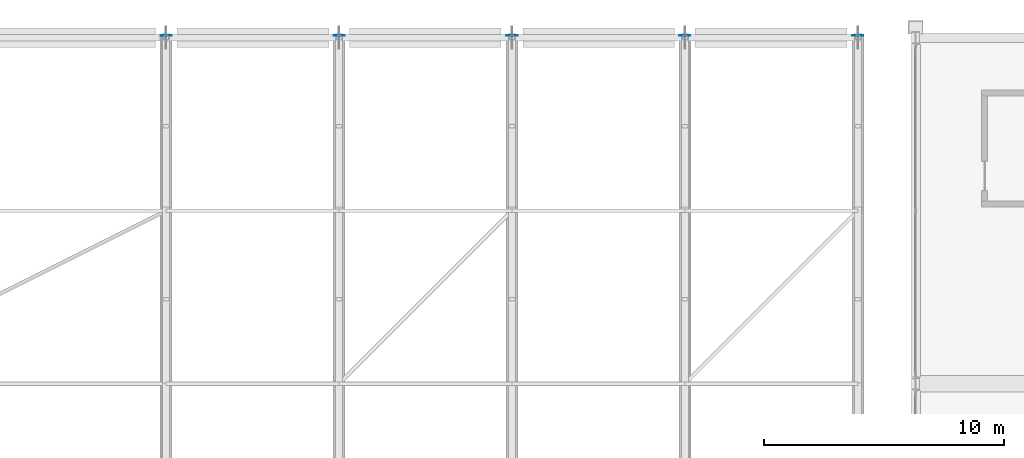
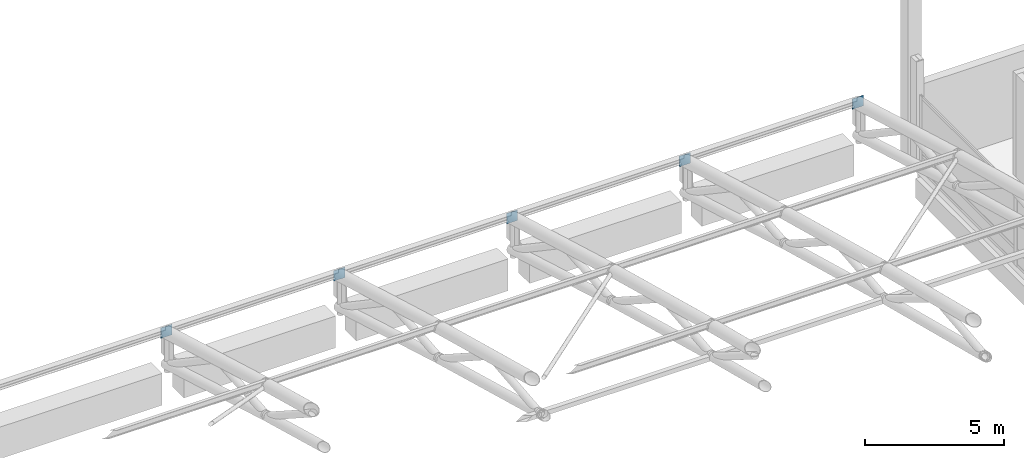
# One storey, part 134 of 193: 5 plates.
"""IFC4 building model written with IfcOpenShell, lengths in metres."""

from ifc_helpers import new_model, si_unit, direction, frame, origin, origin_2d, place, context, subcontext, project, spatial, rectangle, extrude, material, layer, layer_set, type_object, element, save


model = new_model("IFC4")

# Units and contexts
model_context = context("Model", 3, precision=1e-05, world=origin(), true_north=direction((0.0, 1.0)))
body_context = subcontext(model_context, "Body", "Model", "MODEL_VIEW")
ifc_project = project(units=[si_unit("LENGTHUNIT", "METRE"), si_unit("AREAUNIT", "SQUARE_METRE"), si_unit("VOLUMEUNIT", "CUBIC_METRE"), si_unit("PLANEANGLEUNIT", "RADIAN"), si_unit("MASSUNIT", "GRAM", prefix="KILO")], contexts=[model_context])

# Site, building, storey
site_placement = place(None, origin())
site = spatial("IfcSite", under=ifc_project, at=site_placement, CompositionType="ELEMENT")
building_placement = place(site_placement, origin())
building = spatial("IfcBuilding", under=site, at=building_placement, Name="Cendralis Lancet Convention Centre", CompositionType="ELEMENT")
storey_placement = place(building_placement, frame((0.0, 0.0, 10.199951171875)))
storey = spatial("IfcBuildingStorey", under=building, at=storey_placement, Name="L02", CompositionType="ELEMENT", Elevation=10.199951171875)

# Plates
ifc_material = material(Name="Steel S355", Category="steel")
ifc_layer = layer(ifc_material, 0.02001953125, Name="Steel S355")
ifc_layer_set = layer_set([ifc_layer], Name="Steel S355")
plate_type = type_object("IfcPlateType", Name="STR-PL-EC20", PredefinedType="USERDEFINED", material=ifc_layer_set)
for number, where, z_axis, x_axis, name in (
    (1, (93.60009765625, 136.889892578125, 3.3701171875), (0.0, 0.0, 1.0), (1.0, 0.0, 0.0), "Truss End Cap Plate EC-20 AT-V1-11-CAPN"),
    (2, (100.800048828125, 136.889892578125, 3.3701171875), (0.0, 0.0, 1.0), (1.0, 0.0, 0.0), "Truss End Cap Plate EC-20 AT-V1-12-CAPN"),
    (3, (108.0, 136.889892578125, 3.3701171875), (0.0, 0.0, 1.0), (1.0, 0.0, 0.0), "Truss End Cap Plate EC-20 AT-V1-13-CAPN"),
    (4, (115.199951171875, 136.889892578125, 3.3701171875), (0.0, 0.0, 1.0), (1.0, 0.0, 0.0), "Truss End Cap Plate EC-20 AT-V1-14-CAPN"),
    (5, (122.39990234375, 136.889892578125, 3.3701171875), (0.0, 0.0, 1.0), (1.0, 0.0, 0.0), "Truss End Cap Plate EC-20 AT-V1-15-CAPN"),
):
    element("IfcPlate", number, at=place(storey_placement, frame(where, z_axis=z_axis, x_axis=x_axis)), inside=storey, type_object=plate_type, Name=name, ObjectType="GUSSET PLATE", PredefinedType="USERDEFINED", context=body_context, shape_type="SweptSolid", body=[
        extrude(rectangle(XDim=0.4599609375, YDim=0.02001953125, at=origin_2d()), origin(), (0.0, 0.0, 1.0), 0.4599609375),
    ])

save(model, "model.ifc")
